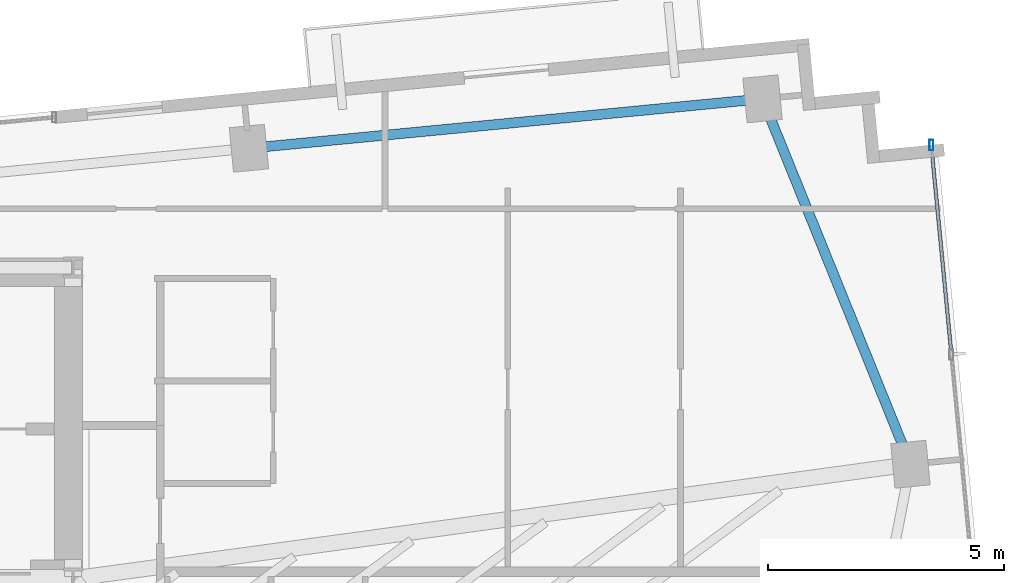
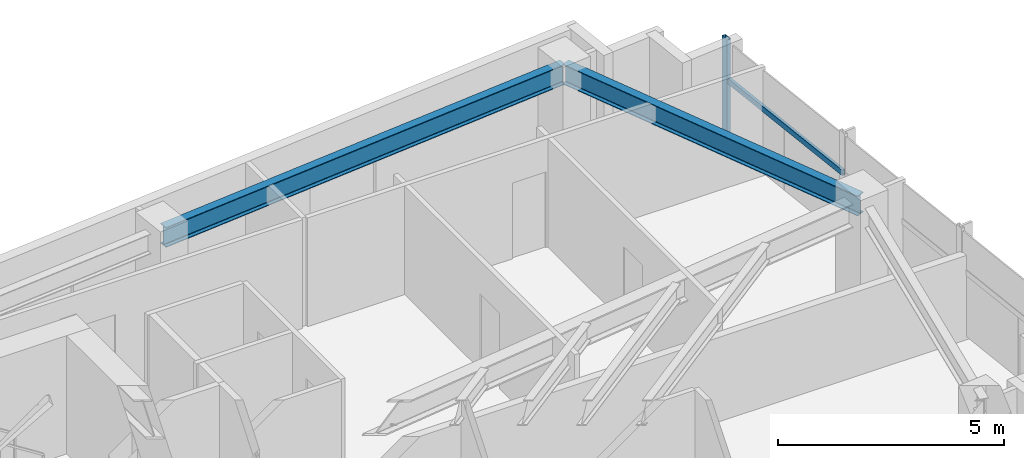
# One storey, part 11 of 18: 2 beams, 2 members, 1 element without a shape of its own.
"""IFC4 building model written with IfcOpenShell, lengths in metres."""

from ifc_helpers import new_model, si_unit, direction, frame, origin, origin_2d, place, context, subcontext, project, spatial, hollow_rectangle, i_section, extrude, source, transform, mapped, material, material_profile, profile_set, type_object, type_shapes, element, aggregate, save


model = new_model("IFC4")

# Units and contexts
model_context = context("Model", 3, precision=1e-05, world=origin(), true_north=direction((0.0, 1.0)))
body_context = subcontext(model_context, "Body", "Model", "MODEL_VIEW")
ifc_project = project(units=[si_unit("LENGTHUNIT", "METRE"), si_unit("AREAUNIT", "SQUARE_METRE"), si_unit("VOLUMEUNIT", "CUBIC_METRE"), si_unit("PLANEANGLEUNIT", "RADIAN"), si_unit("MASSUNIT", "GRAM", prefix="KILO")], contexts=[model_context])

# Site, building, storey
site_placement = place(None, origin())
site = spatial("IfcSite", under=ifc_project, at=site_placement, CompositionType="ELEMENT")
building_placement = place(site_placement, origin())
building = spatial("IfcBuilding", under=site, at=building_placement, Name="Astriad Promenade Condominiums", CompositionType="ELEMENT")
storey_placement = place(building_placement, frame((0.0, 0.0, 192.199951171875)))
storey = spatial("IfcBuildingStorey", under=building, at=storey_placement, Name="L55", CompositionType="ELEMENT", Elevation=192.199951171875)

# Beams
ifc_material_1 = material(Name="Steel ASTM A992 Grade 50", Category="steel")
ifc_material_profile_1 = material_profile(ifc_material_1, i_section(OverallWidth=0.210693359375, OverallDepth=0.53955078125, WebThickness=0.01171875, FlangeThickness=0.018798828125, FilletRadius=0.0166015625, at=origin_2d()), Name="W21X73")
ifc_profile_set_1 = profile_set([ifc_material_profile_1], Name="Steel ASTM A992 Grade 50")
beam_type = type_object("IfcBeamType", Name="STEEL SPANDREL BEAM W21X73", PredefinedType="SPANDREL", material=ifc_profile_set_1)
shared_shape_1 = source(origin(), body_context, "Body", "SweptSolid", [
    extrude(i_section(OverallWidth=0.210693359375, OverallDepth=0.53955078125, WebThickness=0.01171875, FlangeThickness=0.018798828125, FilletRadius=0.0166015625, at=origin_2d()), origin(), (0.0, 0.0, 1.0), 10.8701171875),
])
beam_1_placement = place(storey_placement, frame((60.190673828125, 27.578369140625, 2.670166015625), z_axis=(-0.995394986184, -0.09585834069, 0.0), x_axis=(0.09585834069, -0.995394986184, 0.0)))
element("IfcBeam", 1, at=beam_1_placement, inside=storey, type_object=beam_type, Name="Perimeter Spandrel Beam SP-N4-L55", PredefinedType="SPANDREL", context=body_context, shape_type="MappedRepresentation", body=[
    mapped(shared_shape_1, transform((0.0, 0.0, 0.0), scale=1.0)),
])
shared_shape_2 = source(origin(), body_context, "Body", "SweptSolid", [
    extrude(i_section(OverallWidth=0.210693359375, OverallDepth=0.53955078125, WebThickness=0.01171875, FlangeThickness=0.018798828125, FilletRadius=0.0166015625, at=origin_2d()), origin(), (0.0, 0.0, 1.0), 8.28564453125),
])
type_shapes(beam_type, [shared_shape_1, shared_shape_2])
beam_2_placement = place(storey_placement, frame((63.353271484375, 19.8642578125, 2.670166015625), z_axis=(-0.375070987134, 0.926996092014, 0.0), x_axis=(-0.926996092014, -0.375070987134, 0.0)))
element("IfcBeam", 2, at=beam_2_placement, inside=storey, type_object=beam_type, Name="Perimeter Spandrel Beam SP-E2-L55", PredefinedType="SPANDREL", context=body_context, shape_type="MappedRepresentation", body=[
    mapped(shared_shape_2, transform((0.0, 0.0, 0.0), scale=1.0)),
])

# Curtain wall, members
ifc_material_2 = material(Name="Anodised aluminium Black Dark Glass Unitised", Category="aluminium")
curtain_wall_type = type_object("IfcCurtainWallType", Name="CW-B34-DARK", PredefinedType="USERDEFINED", material=ifc_material_2)
curtain_wall_placement = place(storey_placement, origin())
curtain_wall = element("IfcCurtainWall", 3, at=curtain_wall_placement, inside=storey, type_object=curtain_wall_type, Name="CW-L55-E", ObjectType="UNITISED_CURTAIN_WALL", PredefinedType="USERDEFINED")
ifc_material_3 = material(Name="Anodised aluminium 6063-T6 Black", Category="aluminium")
ifc_material_profile_2 = material_profile(ifc_material_3, hollow_rectangle(XDim=0.0849609375, YDim=0.219970703125, WallThickness=0.0048828125, at=origin_2d()), Name="ALU-MUL-85X220")
ifc_profile_set_2 = profile_set([ifc_material_profile_2], Name="Anodised aluminium 6063-T6 Black")
member_type_1 = type_object("IfcMemberType", Name="MUL-ALU-MUL-85X220", PredefinedType="MULLION", material=ifc_profile_set_2)
shared_shape_3 = source(origin(), body_context, "Body", "SweptSolid", [
    extrude(hollow_rectangle(XDim=0.0849609375, YDim=0.219970703125, WallThickness=0.0048828125, at=origin_2d()), origin(), (0.0, 0.0, 1.0), 2.93994140625),
])
type_shapes(member_type_1, [shared_shape_3])
member_1_placement = place(storey_placement, frame((63.81103515625, 26.6005859375, 0.0), z_axis=(0.0, 0.0, 1.0), x_axis=(1.0, 0.0, 0.0)))
member_1 = element("IfcMember", 4, at=member_1_placement, type_object=member_type_1, Name="CW-L55-E-MUL-00", PredefinedType="MULLION", context=body_context, shape_type="MappedRepresentation", body=[
    mapped(shared_shape_3, transform((0.0, 0.0, 0.0), scale=1.0)),
])
ifc_material_profile_3 = material_profile(ifc_material_3, hollow_rectangle(XDim=0.074951171875, YDim=0.14990234375, WallThickness=0.004150390625, at=origin_2d()), Name="ALU-TRN-75X150")
ifc_profile_set_3 = profile_set([ifc_material_profile_3], Name="Anodised aluminium 6063-T6 Black")
member_type_2 = type_object("IfcMemberType", Name="TRN-ALU-TRN-75X150", PredefinedType="USERDEFINED", material=ifc_profile_set_3)
shared_shape_4 = source(origin(), body_context, "Body", "SweptSolid", [
    extrude(hollow_rectangle(XDim=0.074951171875, YDim=0.14990234375, WallThickness=0.004150390625, at=origin_2d()), origin(), (0.0, 0.0, 1.0), 4.466552734375),
])
type_shapes(member_type_2, [shared_shape_4])
member_2_placement = place(storey_placement, frame((63.81103515625, 26.6005859375, 1.82275390625), z_axis=(0.095817598554, -0.995398908884, 0.0), x_axis=(0.995398908884, 0.095817598554, 0.0)))
member_2 = element("IfcMember", 5, at=member_2_placement, type_object=member_type_2, Name="CW-L55-E-TRN-00-0", ObjectType="TRANSOM", PredefinedType="USERDEFINED", context=body_context, shape_type="MappedRepresentation", body=[
    mapped(shared_shape_4, transform((0.0, 0.0, 0.0), scale=1.0)),
])
aggregate(curtain_wall, [member_1, member_2])

save(model, "model.ifc")
